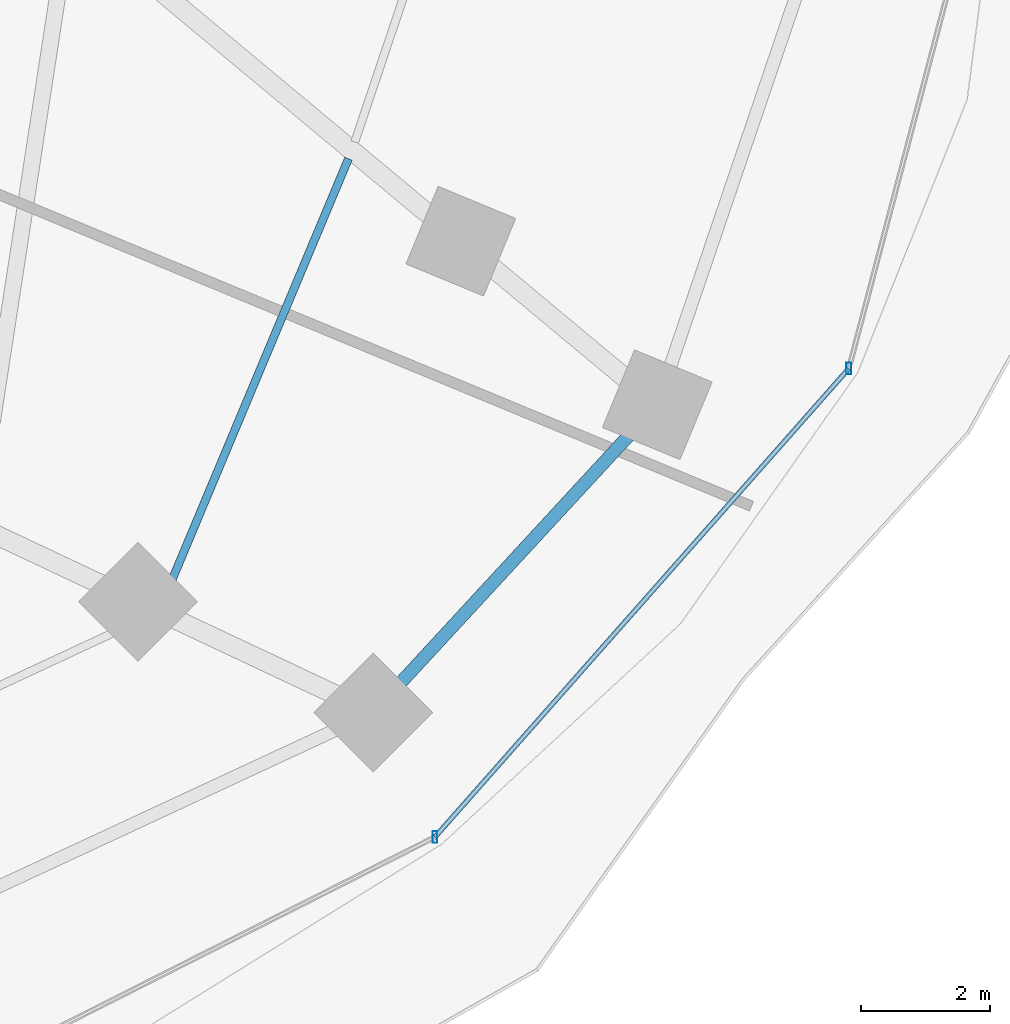
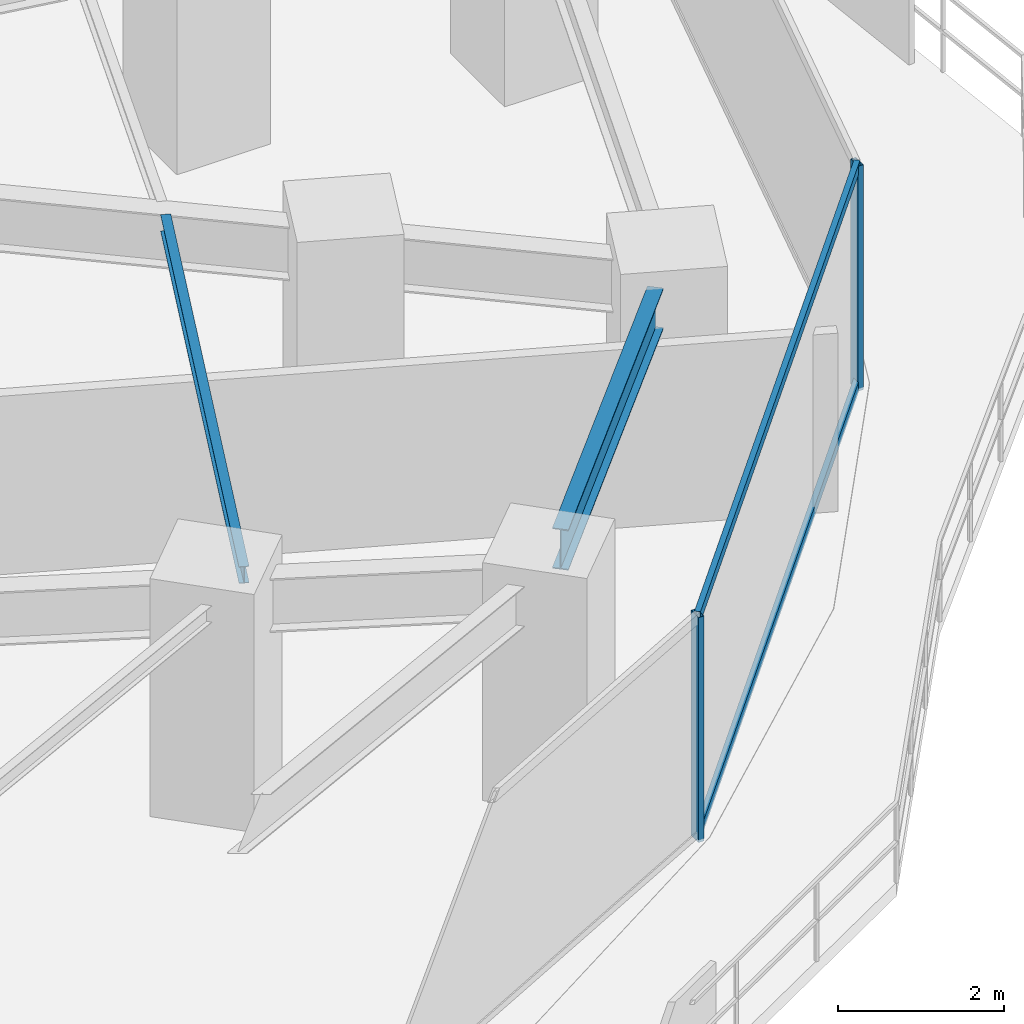
# One storey, part 14 of 35: 4 members, 2 beams, 1 element without a shape of its own.
"""IFC4 building model written with IfcOpenShell, lengths in metres."""

from ifc_helpers import new_model, si_unit, direction, frame, origin, origin_2d, place, context, subcontext, project, spatial, hollow_rectangle, i_section, extrude, material, material_profile, profile_set, type_object, element, aggregate, save


model = new_model("IFC4")

# Units and contexts
model_context = context("Model", 3, precision=1e-05, world=origin(), true_north=direction((0.0, 1.0)))
body_context = subcontext(model_context, "Body", "Model", "MODEL_VIEW")
ifc_project = project(units=[si_unit("LENGTHUNIT", "METRE"), si_unit("AREAUNIT", "SQUARE_METRE"), si_unit("VOLUMEUNIT", "CUBIC_METRE"), si_unit("PLANEANGLEUNIT", "RADIAN"), si_unit("MASSUNIT", "GRAM", prefix="KILO")], contexts=[model_context])

# Site, building, storey
site_placement = place(None, origin())
site = spatial("IfcSite", under=ifc_project, at=site_placement, CompositionType="ELEMENT")
building_placement = place(site_placement, origin())
building = spatial("IfcBuilding", under=site, at=building_placement, Name="Vorneva Point Tower", CompositionType="ELEMENT")
storey_placement = place(building_placement, frame((0.0, 0.0, 45.0)))
storey = spatial("IfcBuildingStorey", under=building, at=storey_placement, Name="L11", CompositionType="ELEMENT", Elevation=45.0)

# Beams
ifc_material_1 = material(Name="Steel S355", Category="steel")
ifc_material_profile_1 = material_profile(ifc_material_1, i_section(OverallWidth=0.1240234375, OverallDepth=0.248046875, WebThickness=0.0048828125, FlangeThickness=0.008056640625, at=origin_2d()), Name="25B1")
ifc_profile_set_1 = profile_set([ifc_material_profile_1], Name="Steel S355")
beam_type_1 = type_object("IfcBeamType", Name="BM-JST-25B1", PredefinedType="JOIST", material=ifc_profile_set_1)
beam_1_placement = place(storey_placement, frame((54.674560546875, 13.813232421875, 3.115966796875), z_axis=(0.386294798704, 0.922375372879, 0.0), x_axis=(-0.922375372879, 0.386294798704, 0.0)))
element("IfcBeam", 1, at=beam_1_placement, inside=storey, type_object=beam_type_1, Name="L11 Secondary Floor Beam 1.15", PredefinedType="JOIST", context=body_context, shape_type="SweptSolid", body=[
    extrude(i_section(OverallWidth=0.1240234375, OverallDepth=0.248046875, WebThickness=0.0048828125, FlangeThickness=0.008056640625, at=origin_2d()), origin(), (0.0, 0.0, 1.0), 7.460205078125),
])
ifc_material_profile_2 = material_profile(ifc_material_1, i_section(OverallWidth=0.198974609375, OverallDepth=0.595947265625, WebThickness=0.010009765625, FlangeThickness=0.014892578125, at=origin_2d()), Name="60B1")
ifc_profile_set_2 = profile_set([ifc_material_profile_2], Name="Steel S355")
beam_type_2 = type_object("IfcBeamType", Name="BM-SPN-60B1", PredefinedType="SPANDREL", material=ifc_profile_set_2)
beam_2_placement = place(storey_placement, frame((58.369384765625, 12.5908203125, 2.94189453125), z_axis=(0.678317071649, 0.734769317752, 0.0), x_axis=(-0.734769317752, 0.678317071649, 0.0)))
element("IfcBeam", 2, at=beam_2_placement, inside=storey, type_object=beam_type_2, Name="L11 Perimeter Spandrel Ring Beam 15", PredefinedType="SPANDREL", context=body_context, shape_type="SweptSolid", body=[
    extrude(i_section(OverallWidth=0.198974609375, OverallDepth=0.595947265625, WebThickness=0.010009765625, FlangeThickness=0.014892578125, at=origin_2d()), origin(), (0.0, 0.0, 1.0), 5.211181640625),
])

# Curtain wall, members
ifc_material_2 = material(Name="Pale anodised aluminium", Category="aluminium")
curtain_wall_type = type_object("IfcCurtainWallType", Name="CW-HTL-SYS", PredefinedType="NOTDEFINED", material=ifc_material_2)
curtain_wall_placement = place(storey_placement, origin())
curtain_wall = element("IfcCurtainWall", 3, at=curtain_wall_placement, inside=storey, type_object=curtain_wall_type, Name="L11 Unitised Curtain Wall CW-L11-R01", PredefinedType="NOTDEFINED")
ifc_material_profile_3 = material_profile(ifc_material_2, hollow_rectangle(XDim=0.074951171875, YDim=0.179931640625, WallThickness=0.00390625, at=origin_2d()), Name="AL-MUL 180x75x4")
ifc_profile_set_3 = profile_set([ifc_material_profile_3], Name="Pale anodised aluminium")
member_type_1 = type_object("IfcMemberType", Name="CW-MUL-180", PredefinedType="MULLION", material=ifc_profile_set_3)
member_1_placement = place(storey_placement, frame((58.89501953125, 10.1962890625, -0.0400390625), z_axis=(0.0, 0.0, 1.0), x_axis=(1.0, 0.0, 0.0)))
member_1 = element("IfcMember", 4, at=member_1_placement, type_object=member_type_1, Name="CW-L11-R01 Mullion 02", PredefinedType="MULLION", context=body_context, shape_type="SweptSolid", body=[
    extrude(hollow_rectangle(XDim=0.074951171875, YDim=0.179931640625, WallThickness=0.00390625, at=origin_2d()), origin(), (0.0, 0.0, 1.0), 3.31005859375),
])
member_2_placement = place(storey_placement, frame((65.300537109375, 17.447021484375, -0.0400390625), z_axis=(0.0, 0.0, 1.0), x_axis=(1.0, 0.0, 0.0)))
member_2 = element("IfcMember", 5, at=member_2_placement, type_object=member_type_1, Name="CW-L11-R01 Mullion 03", PredefinedType="MULLION", context=body_context, shape_type="SweptSolid", body=[
    extrude(hollow_rectangle(XDim=0.074951171875, YDim=0.179931640625, WallThickness=0.00390625, at=origin_2d()), origin(), (0.0, 0.0, 1.0), 3.31005859375),
])
ifc_material_profile_4 = material_profile(ifc_material_2, hollow_rectangle(XDim=0.074951171875, YDim=0.14990234375, WallThickness=0.00390625, at=origin_2d()), Name="AL-TRN 150x75x4")
ifc_profile_set_4 = profile_set([ifc_material_profile_4], Name="Pale anodised aluminium")
member_type_2 = type_object("IfcMemberType", Name="CW-TRN-150", PredefinedType="USERDEFINED", material=ifc_profile_set_4)
member_3_placement = place(storey_placement, frame((58.89501953125, 10.1962890625, 0.02001953125), z_axis=(0.662075539029, 0.749437109182, 0.0), x_axis=(-0.749437109182, 0.662075539029, 0.0)))
member_3 = element("IfcMember", 6, at=member_3_placement, type_object=member_type_2, Name="CW-L11-R01 Transom 02.1", ObjectType="TRANSOM", PredefinedType="USERDEFINED", context=body_context, shape_type="SweptSolid", body=[
    extrude(hollow_rectangle(XDim=0.074951171875, YDim=0.14990234375, WallThickness=0.00390625, at=origin_2d()), origin(), (0.0, 0.0, 1.0), 9.6748046875),
])
member_4_placement = place(storey_placement, frame((58.89501953125, 10.1962890625, 3.219970703125), z_axis=(0.662075539029, 0.749437109182, 0.0), x_axis=(-0.749437109182, 0.662075539029, 0.0)))
member_4 = element("IfcMember", 7, at=member_4_placement, type_object=member_type_2, Name="CW-L11-R01 Transom 02.2", ObjectType="TRANSOM", PredefinedType="USERDEFINED", context=body_context, shape_type="SweptSolid", body=[
    extrude(hollow_rectangle(XDim=0.074951171875, YDim=0.14990234375, WallThickness=0.00390625, at=origin_2d()), origin(), (0.0, 0.0, 1.0), 9.6748046875),
])
aggregate(curtain_wall, [member_1, member_2, member_3, member_4])

save(model, "model.ifc")
